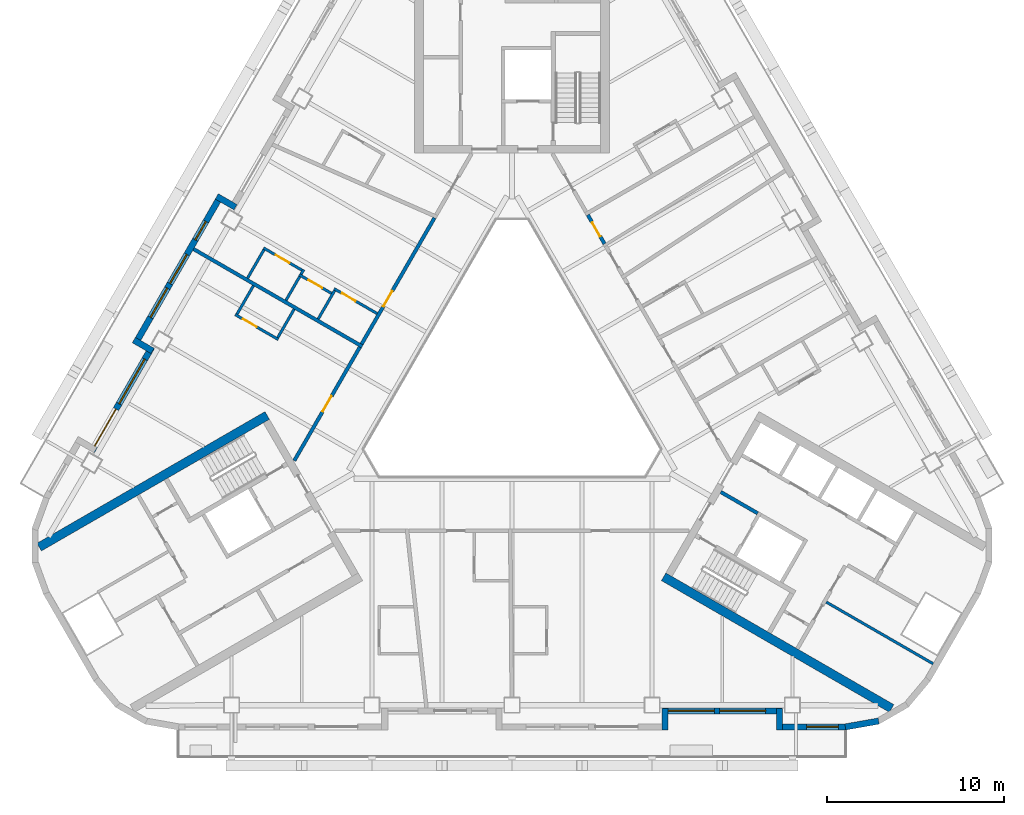
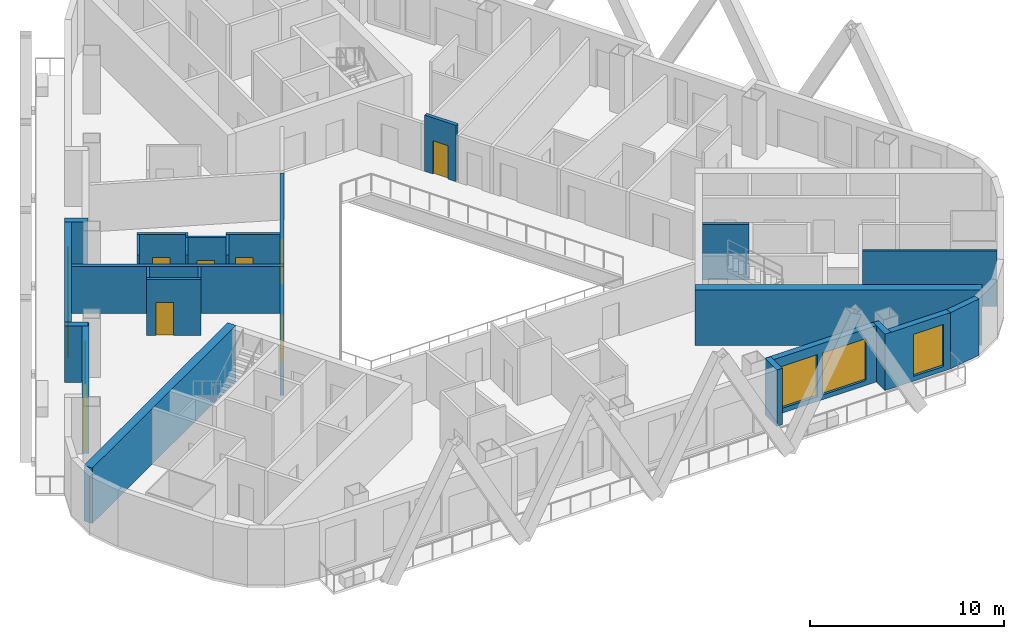
# One storey, part 4 of 14: 27 walls, 8 doors, 7 windows, 15 openings.
"""IFC4 building model written with IfcOpenShell, lengths in metres."""

from ifc_helpers import new_model, si_unit, direction, frame, frame_2d, origin, place, context, subcontext, project, spatial, rectangle, extrude, material, layer, layer_set, type_object, element, fill, save


model = new_model("IFC4")

# Units and contexts
model_context = context("Model", 3, precision=1e-05, world=origin(), true_north=direction((0.0, 1.0)))
body_context = subcontext(model_context, "Body", "Model", "MODEL_VIEW")
ifc_project = project(units=[si_unit("LENGTHUNIT", "METRE"), si_unit("AREAUNIT", "SQUARE_METRE"), si_unit("VOLUMEUNIT", "CUBIC_METRE"), si_unit("PLANEANGLEUNIT", "RADIAN"), si_unit("MASSUNIT", "GRAM", prefix="KILO")], contexts=[model_context])

# Site, building, storey
site_placement = place(None, origin())
site = spatial("IfcSite", under=ifc_project, at=site_placement, CompositionType="ELEMENT")
building_placement = place(site_placement, origin())
building = spatial("IfcBuilding", under=site, at=building_placement, Name="Apuvela Tower Hotel", CompositionType="ELEMENT")
storey_placement = place(building_placement, frame((0.0, 0.0, 120.5)))
storey = spatial("IfcBuildingStorey", under=building, at=storey_placement, Name="L28", CompositionType="ELEMENT", Elevation=120.5)

# Walls
ifc_material_1 = material(Name="Concrete C50/60", Category="concrete")
ifc_layer_1 = layer(ifc_material_1, 0.5)
ifc_layer_set_1 = layer_set([ifc_layer_1], Name="COR-WALL-CORE-500")
wall_type_1 = type_object("IfcWallType", Name="COR-WALL-CORE-500", PredefinedType="SHEAR", material=ifc_layer_set_1)
for number, where, z_axis, x_axis, name in (
    (1, (-13.796630859375, -1.9033203125, 0.0), (0.0, 0.0, 1.0), (-0.866025009528, -0.500000682871, 0.0), "Core wall SW"),
    (2, (8.546630859375, -10.99658203125, 0.0), (0.0, 0.0, 1.0), (0.866025009528, -0.500000682871, 0.0), "Core wall SE"),
):
    element("IfcWall", number, at=place(storey_placement, frame(where, z_axis=z_axis, x_axis=x_axis)), inside=storey, type_object=wall_type_1, Name=name, PredefinedType="SHEAR", context=body_context, shape_type="SweptSolid", body=[
        extrude(rectangle(XDim=14.8369140625, YDim=0.5, at=frame_2d((7.41845703125, 0.0))), origin(), (0.0, 0.0, 1.0), 3.5),
    ])
ifc_material_2 = material(Name="Blockwork 150 mm plastered", Category="masonry")
ifc_layer_2 = layer(ifc_material_2, 0.14990234375)
ifc_layer_set_2 = layer_set([ifc_layer_2], Name="COR-WALL-PART-150")
wall_type_2 = type_object("IfcWallType", Name="COR-WALL-PART-150", PredefinedType="PARTITIONING", material=ifc_layer_set_2)
wall_1_placement = place(storey_placement, frame((17.712890625, -12.42041015625, 0.0), z_axis=(0.0, 0.0, 1.0), x_axis=(0.866016523273, -0.500015381182, 0.0)))
element("IfcWall", 3, at=wall_1_placement, inside=storey, type_object=wall_type_2, Name="Partition SE", PredefinedType="PARTITIONING", context=body_context, shape_type="SweptSolid", body=[
    extrude(rectangle(XDim=6.949951171875, YDim=0.14990234375, at=frame_2d((3.47509765625, 0.0))), origin(), (0.0, 0.0, 1.0), 3.5),
])
ifc_layer_3 = layer(ifc_material_1, 0.199951171875)
ifc_layer_set_3 = layer_set([ifc_layer_3], Name="COR-WALL-SHAFT-200")
wall_type_3 = type_object("IfcWallType", Name="COR-WALL-SHAFT-200", PredefinedType="SHEAR", material=ifc_layer_set_3)
wall_2_placement = place(storey_placement, frame((11.76806640625, -6.217041015625, 0.0), z_axis=(0.0, 0.0, 1.0), x_axis=(0.866050077142, -0.499957262057, 0.0)))
element("IfcWall", 4, at=wall_2_placement, inside=storey, type_object=wall_type_3, Name="Shaft wall SE", PredefinedType="SHEAR", context=body_context, shape_type="SweptSolid", body=[
    extrude(rectangle(XDim=2.400146484375, YDim=0.199951171875, at=frame_2d((1.2001953125, 0.0))), origin(), (0.0, 0.0, 1.0), 3.5),
])
ifc_material_3 = material(Name="Concrete C40/50, dark pigmented precast panel", Category="concrete")
ifc_layer_4 = layer(ifc_material_3, 0.35009765625)
ifc_layer_set_4 = layer_set([ifc_layer_4], Name="ENV-WALL-350")
wall_type_4 = type_object("IfcWallType", Name="ENV-WALL-350", PredefinedType="SOLIDWALL", material=ifc_layer_set_4)
wall_3_placement = place(storey_placement, frame((-15.580810546875, 9.8330078125, 0.0), z_axis=(0.0, 0.0, 1.0), x_axis=(-0.866055662726, 0.499947586314, 0.0)))
element("IfcWall", 5, at=wall_3_placement, inside=storey, type_object=wall_type_4, Name="External wall L28-04", PredefinedType="SOLIDWALL", context=body_context, shape_type="SweptSolid", body=[
    extrude(rectangle(XDim=1.220458984375, YDim=0.35009765625, at=frame_2d((0.6103515625, 0.0))), origin(), (0.0, 0.0, 1.0), 3.550048828125),
])

# Wall, openings, windows
wall_4_placement = place(storey_placement, frame((-16.3984375, 10.507080078125, 0.0), z_axis=(0.0, 0.0, 1.0), x_axis=(-0.499999142773, -0.866025898704, 0.0)))
wall_4 = element("IfcWall", 6, at=wall_4_placement, inside=storey, type_object=wall_type_4, Name="External wall L28-05", PredefinedType="SOLIDWALL", context=body_context, shape_type="SweptSolid", body=[
    extrude(rectangle(XDim=9.7001953125, YDim=0.35009765625, at=frame_2d((4.85009765625, 0.0))), origin(), (0.0, 0.0, 1.0), 3.550048828125),
])
opening_1_placement = place(wall_4_placement, frame((1.7001953125, 0.0, 0.300048828125)))
opening_1 = element("IfcOpeningElement", 7, at=opening_1_placement, cuts=wall_4, Name="Opening WN12", PredefinedType="OPENING", context=body_context, shape_type="SweptSolid", body=[
    extrude(rectangle(XDim=1.199951171875, YDim=2.64990234375, at=frame_2d((0.60009765625, 1.324951171875))), frame((0.0, 0.18505859375, 0.0), z_axis=(0.0, -1.0, 0.0), x_axis=(1.0, 0.0, 0.0)), (0.0, 0.0, 1.0), 0.3701171875),
])
opening_2_placement = place(wall_4_placement, frame((3.849853515625, 0.0, 0.300048828125)))
opening_2 = element("IfcOpeningElement", 8, at=opening_2_placement, cuts=wall_4, Name="Opening WN19", PredefinedType="OPENING", context=body_context, shape_type="SweptSolid", body=[
    extrude(rectangle(XDim=1.89990234375, YDim=2.64990234375, at=frame_2d((0.949951171875, 1.324951171875))), frame((0.0, 0.18505859375, 0.0), z_axis=(0.0, -1.0, 0.0), x_axis=(1.0, 0.0, 0.0)), (0.0, 0.0, 1.0), 0.3701171875),
])
opening_3_placement = place(wall_4_placement, frame((6.0498046875, 0.0, 0.300048828125)))
opening_3 = element("IfcOpeningElement", 9, at=opening_3_placement, cuts=wall_4, Name="Opening WN19", PredefinedType="OPENING", context=body_context, shape_type="SweptSolid", body=[
    extrude(rectangle(XDim=1.89990234375, YDim=2.64990234375, at=frame_2d((0.949951171875, 1.324951171875))), frame((0.0, 0.18505859375, 0.0), z_axis=(0.0, -1.0, 0.0), x_axis=(1.0, 0.0, 0.0)), (0.0, 0.0, 1.0), 0.3701171875),
])
ifc_material_4 = material(Name="Glass, dark tinted laminated insulated glazing unit", Category="glass")
window_type_1 = type_object("IfcWindowType", Name="ENV-WIN-1200x2650", PartitioningType="SINGLE_PANEL", PredefinedType="WINDOW", material=ifc_material_4)
window_1_placement = place(opening_1_placement, origin())
window_1 = element("IfcWindow", 10, at=window_1_placement, inside=storey, type_object=window_type_1, Name="Window WN12", OverallHeight=2.64990234375, OverallWidth=1.199951171875, PartitioningType="SINGLE_PANEL", PredefinedType="WINDOW", context=body_context, shape_type="SweptSolid", body=[
    extrude(rectangle(XDim=1.199951171875, YDim=2.64990234375, at=frame_2d((0.60009765625, 1.324951171875))), frame((0.0, 0.030029296875, 0.0), z_axis=(0.0, -1.0, 0.0), x_axis=(1.0, 0.0, 0.0)), (0.0, 0.0, 1.0), 0.06005859375),
])
fill(opening_1, window_1)
window_type_2 = type_object("IfcWindowType", Name="ENV-WIN-1900x2650", PartitioningType="SINGLE_PANEL", PredefinedType="WINDOW", material=ifc_material_4)
window_2_placement = place(opening_2_placement, origin())
window_2 = element("IfcWindow", 11, at=window_2_placement, inside=storey, type_object=window_type_2, Name="Window WN19", OverallHeight=2.64990234375, OverallWidth=1.89990234375, PartitioningType="SINGLE_PANEL", PredefinedType="WINDOW", context=body_context, shape_type="SweptSolid", body=[
    extrude(rectangle(XDim=1.89990234375, YDim=2.64990234375, at=frame_2d((0.949951171875, 1.324951171875))), frame((0.0, 0.030029296875, 0.0), z_axis=(0.0, -1.0, 0.0), x_axis=(1.0, 0.0, 0.0)), (0.0, 0.0, 1.0), 0.06005859375),
])
fill(opening_2, window_2)
window_3_placement = place(opening_3_placement, origin())
window_3 = element("IfcWindow", 12, at=window_3_placement, inside=storey, type_object=window_type_2, Name="Window WN19", OverallHeight=2.64990234375, OverallWidth=1.89990234375, PartitioningType="SINGLE_PANEL", PredefinedType="WINDOW", context=body_context, shape_type="SweptSolid", body=[
    extrude(rectangle(XDim=1.89990234375, YDim=2.64990234375, at=frame_2d((0.949951171875, 1.324951171875))), frame((0.0, 0.030029296875, 0.0), z_axis=(0.0, -1.0, 0.0), x_axis=(1.0, 0.0, 0.0)), (0.0, 0.0, 1.0), 0.06005859375),
])
fill(opening_3, window_3)

# Wall
wall_5_placement = place(storey_placement, frame((-21.3125, 2.345703125, 0.0), z_axis=(0.0, 0.0, 1.0), x_axis=(0.866005645448, -0.500034220881, 0.0)))
element("IfcWall", 13, at=wall_5_placement, inside=storey, type_object=wall_type_4, Name="External wall L28-06", PredefinedType="SOLIDWALL", context=body_context, shape_type="SweptSolid", body=[
    extrude(rectangle(XDim=1.22021484375, YDim=0.35009765625, at=frame_2d((0.610107421875, 0.0))), origin(), (0.0, 0.0, 1.0), 3.550048828125),
])

# Wall, openings, door, window
wall_6_placement = place(storey_placement, frame((-20.30908203125, 1.93359375, 0.0), z_axis=(0.0, 0.0, 1.0), x_axis=(-0.499992114976, -0.866029956157, 0.0)))
wall_6 = element("IfcWall", 14, at=wall_6_placement, inside=storey, type_object=wall_type_4, Name="External wall L28-07", PredefinedType="SOLIDWALL", context=body_context, shape_type="SweptSolid", body=[
    extrude(rectangle(XDim=6.73974609375, YDim=0.35009765625, at=frame_2d((3.369873046875, 0.0))), origin(), (0.0, 0.0, 1.0), 3.550048828125),
])
opening_4_placement = place(wall_6_placement, frame((4.02001953125, 0.0, 0.0)))
opening_4 = element("IfcOpeningElement", 15, at=opening_4_placement, cuts=wall_6, Name="Opening BD24", PredefinedType="OPENING", context=body_context, shape_type="SweptSolid", body=[
    extrude(rectangle(XDim=2.39990234375, YDim=2.39990234375, at=frame_2d((1.199951171875, 1.199951171875))), frame((0.0, 0.18505859375, 0.0), z_axis=(0.0, -1.0, 0.0), x_axis=(1.0, 0.0, 0.0)), (0.0, 0.0, 1.0), 0.3701171875),
])
opening_5_placement = place(wall_6_placement, frame((0.77001953125, 0.0, 0.300048828125)))
opening_5 = element("IfcOpeningElement", 16, at=opening_5_placement, cuts=wall_6, Name="Opening WN29", PredefinedType="OPENING", context=body_context, shape_type="SweptSolid", body=[
    extrude(rectangle(XDim=2.89990234375, YDim=2.64990234375, at=frame_2d((1.449951171875, 1.324951171875))), frame((0.0, 0.18505859375, 0.0), z_axis=(0.0, -1.0, 0.0), x_axis=(1.0, 0.0, 0.0)), (0.0, 0.0, 1.0), 0.3701171875),
])
ifc_material_5 = material(Name="Aluminium 6063-T6, dark bronze anodised frame with dark tinted laminated glass", Category="aluminium")
door_type_1 = type_object("IfcDoorType", Name="ENV-DOOR-BALCONY-2400x2400", OperationType="SLIDING_TO_LEFT", PredefinedType="DOOR", material=ifc_material_5)
door_1_placement = place(opening_4_placement, frame((2.39990234375, 0.0, 0.0), z_axis=(0.0, 0.0, 1.0), x_axis=(-1.0, 0.0, 0.0)))
door_1 = element("IfcDoor", 17, at=door_1_placement, inside=storey, type_object=door_type_1, Name="Balcony door BD24", OperationType="SLIDING_TO_LEFT", OverallHeight=2.39990234375, OverallWidth=2.39990234375, PredefinedType="DOOR", context=body_context, shape_type="SweptSolid", body=[
    extrude(rectangle(XDim=2.39990234375, YDim=2.39990234375, at=frame_2d((1.199951171875, 1.199951171875))), frame((0.0, 0.02490234375, 0.0), z_axis=(0.0, -1.0, 0.0), x_axis=(1.0, 0.0, 0.0)), (0.0, 0.0, 1.0), 0.050048828125),
])
fill(opening_4, door_1)
window_type_3 = type_object("IfcWindowType", Name="ENV-WIN-2900x2650", PartitioningType="SINGLE_PANEL", PredefinedType="WINDOW", material=ifc_material_4)
window_4_placement = place(opening_5_placement, origin())
window_4 = element("IfcWindow", 18, at=window_4_placement, inside=storey, type_object=window_type_3, Name="Window WN29", OverallHeight=2.64990234375, OverallWidth=2.89990234375, PartitioningType="SINGLE_PANEL", PredefinedType="WINDOW", context=body_context, shape_type="SweptSolid", body=[
    extrude(rectangle(XDim=2.89990234375, YDim=2.64990234375, at=frame_2d((1.449951171875, 1.324951171875))), frame((0.0, 0.030029296875, 0.0), z_axis=(0.0, -1.0, 0.0), x_axis=(1.0, 0.0, 0.0)), (0.0, 0.0, 1.0), 0.06005859375),
])
fill(opening_5, window_4)

# Wall
wall_7_placement = place(storey_placement, frame((8.625, -19.6298828125, 0.0), z_axis=(0.0, 0.0, 1.0), x_axis=(0.0, 1.0, 0.0)))
element("IfcWall", 19, at=wall_7_placement, inside=storey, type_object=wall_type_4, Name="External wall L28-22", PredefinedType="SOLIDWALL", context=body_context, shape_type="SweptSolid", body=[
    extrude(rectangle(XDim=1.219970703125, YDim=0.35009765625, at=frame_2d((0.60986328125, 0.0))), origin(), (0.0, 0.0, 1.0), 3.550048828125),
])

# Wall, openings, windows
wall_8_placement = place(storey_placement, frame((8.47998046875, -18.554931640625, 0.0), z_axis=(0.0, 0.0, 1.0), x_axis=(1.0, 0.0, 0.0)))
wall_8 = element("IfcWall", 20, at=wall_8_placement, inside=storey, type_object=wall_type_4, Name="External wall L28-23", PredefinedType="SOLIDWALL", context=body_context, shape_type="SweptSolid", body=[
    extrude(rectangle(XDim=6.739990234375, YDim=0.35009765625, at=frame_2d((3.3701171875, 0.0))), origin(), (0.0, 0.0, 1.0), 3.550048828125),
])
opening_6_placement = place(wall_8_placement, frame((0.3203125, 0.0, 0.300048828125)))
opening_6 = element("IfcOpeningElement", 21, at=opening_6_placement, cuts=wall_8, Name="Opening WN26", PredefinedType="OPENING", context=body_context, shape_type="SweptSolid", body=[
    extrude(rectangle(XDim=2.60009765625, YDim=2.64990234375, at=frame_2d((1.300048828125, 1.324951171875))), frame((0.0, 0.18505859375, 0.0), z_axis=(0.0, -1.0, 0.0), x_axis=(1.0, 0.0, 0.0)), (0.0, 0.0, 1.0), 0.3701171875),
])
opening_7_placement = place(wall_8_placement, frame((3.22021484375, 0.0, 0.300048828125)))
opening_7 = element("IfcOpeningElement", 22, at=opening_7_placement, cuts=wall_8, Name="Opening WN26", PredefinedType="OPENING", context=body_context, shape_type="SweptSolid", body=[
    extrude(rectangle(XDim=2.60009765625, YDim=2.64990234375, at=frame_2d((1.300048828125, 1.324951171875))), frame((0.0, 0.18505859375, 0.0), z_axis=(0.0, -1.0, 0.0), x_axis=(1.0, 0.0, 0.0)), (0.0, 0.0, 1.0), 0.3701171875),
])
window_type_4 = type_object("IfcWindowType", Name="ENV-WIN-2600x2650", PartitioningType="SINGLE_PANEL", PredefinedType="WINDOW", material=ifc_material_4)
window_5_placement = place(opening_6_placement, origin())
window_5 = element("IfcWindow", 23, at=window_5_placement, inside=storey, type_object=window_type_4, Name="Window WN26", OverallHeight=2.64990234375, OverallWidth=2.60009765625, PartitioningType="SINGLE_PANEL", PredefinedType="WINDOW", context=body_context, shape_type="SweptSolid", body=[
    extrude(rectangle(XDim=2.60009765625, YDim=2.64990234375, at=frame_2d((1.300048828125, 1.324951171875))), frame((0.0, 0.030029296875, 0.0), z_axis=(0.0, -1.0, 0.0), x_axis=(1.0, 0.0, 0.0)), (0.0, 0.0, 1.0), 0.06005859375),
])
fill(opening_6, window_5)
window_6_placement = place(opening_7_placement, origin())
window_6 = element("IfcWindow", 24, at=window_6_placement, inside=storey, type_object=window_type_4, Name="Window WN26", OverallHeight=2.64990234375, OverallWidth=2.60009765625, PartitioningType="SINGLE_PANEL", PredefinedType="WINDOW", context=body_context, shape_type="SweptSolid", body=[
    extrude(rectangle(XDim=2.60009765625, YDim=2.64990234375, at=frame_2d((1.300048828125, 1.324951171875))), frame((0.0, 0.030029296875, 0.0), z_axis=(0.0, -1.0, 0.0), x_axis=(1.0, 0.0, 0.0)), (0.0, 0.0, 1.0), 0.06005859375),
])
fill(opening_7, window_6)

# Wall
wall_9_placement = place(storey_placement, frame((15.074951171875, -18.409912109375, 0.0), z_axis=(0.0, 0.0, 1.0), x_axis=(0.0, -1.0, 0.0)))
element("IfcWall", 25, at=wall_9_placement, inside=storey, type_object=wall_type_4, Name="External wall L28-24", PredefinedType="SOLIDWALL", context=body_context, shape_type="SweptSolid", body=[
    extrude(rectangle(XDim=1.219970703125, YDim=0.35009765625, at=frame_2d((0.60986328125, 0.0))), origin(), (0.0, 0.0, 1.0), 3.550048828125),
])

# Wall, opening, window
wall_10_placement = place(storey_placement, frame((14.89990234375, -19.455078125, 0.0), z_axis=(0.0, 0.0, 1.0), x_axis=(1.0, 0.0, 0.0)))
wall_10 = element("IfcWall", 26, at=wall_10_placement, inside=storey, type_object=wall_type_4, Name="External wall L28-25", PredefinedType="SOLIDWALL", context=body_context, shape_type="SweptSolid", body=[
    extrude(rectangle(XDim=3.916015625, YDim=0.35009765625, at=frame_2d((1.9580078125, 0.0))), origin(), (0.0, 0.0, 1.0), 3.550048828125),
])
opening_8_placement = place(wall_10_placement, frame((1.699951171875, 0.0, 0.300048828125)))
opening_8 = element("IfcOpeningElement", 27, at=opening_8_placement, cuts=wall_10, Name="Opening WN18", PredefinedType="OPENING", context=body_context, shape_type="SweptSolid", body=[
    extrude(rectangle(XDim=1.800048828125, YDim=2.64990234375, at=frame_2d((0.89990234375, 1.324951171875))), frame((0.0, 0.18505859375, 0.0), z_axis=(0.0, -1.0, 0.0), x_axis=(1.0, 0.0, 0.0)), (0.0, 0.0, 1.0), 0.3701171875),
])
window_type_5 = type_object("IfcWindowType", Name="ENV-WIN-1800x2650", PartitioningType="SINGLE_PANEL", PredefinedType="WINDOW", material=ifc_material_4)
window_7_placement = place(opening_8_placement, origin())
window_7 = element("IfcWindow", 28, at=window_7_placement, inside=storey, type_object=window_type_5, Name="Window WN18", OverallHeight=2.64990234375, OverallWidth=1.800048828125, PartitioningType="SINGLE_PANEL", PredefinedType="WINDOW", context=body_context, shape_type="SweptSolid", body=[
    extrude(rectangle(XDim=1.800048828125, YDim=2.64990234375, at=frame_2d((0.89990234375, 1.324951171875))), frame((0.0, 0.030029296875, 0.0), z_axis=(0.0, -1.0, 0.0), x_axis=(1.0, 0.0, 0.0)), (0.0, 0.0, 1.0), 0.06005859375),
])
fill(opening_8, window_7)

# Walls
wall_11_placement = place(storey_placement, frame((18.785400390625, -19.457763671875, 0.0), z_axis=(0.0, 0.0, 1.0), x_axis=(0.984798995425, 0.173697837091, 0.0)))
element("IfcWall", 29, at=wall_11_placement, inside=storey, type_object=wall_type_4, Name="External wall L28-26", PredefinedType="SOLIDWALL", context=body_context, shape_type="SweptSolid", body=[
    extrude(rectangle(XDim=1.91015625, YDim=0.35009765625, at=frame_2d((0.955078125, 0.0))), origin(), (0.0, 0.0, 1.0), 3.550048828125),
])
ifc_material_6 = material(Name="Gypsum board partition on twin steel stud", Category="steel")
ifc_layer_5 = layer(ifc_material_6, 0.199951171875)
ifc_layer_set_5 = layer_set([ifc_layer_5], Name="GST-PW1")
wall_type_5 = type_object("IfcWallType", Name="GST-PW1", PredefinedType="PARTITIONING", material=ifc_layer_set_5)
wall_12_placement = place(storey_placement, frame((-17.947021484375, 7.474853515625, 0.0), z_axis=(0.0, 0.0, 1.0), x_axis=(0.866027479907, -0.499996404033, 0.0)))
element("IfcWall", 30, at=wall_12_placement, inside=storey, type_object=wall_type_5, Name="L28 partition 08", PredefinedType="PARTITIONING", context=body_context, shape_type="SweptSolid", body=[
    extrude(rectangle(XDim=10.97998046875, YDim=0.199951171875, at=frame_2d((5.489990234375, 0.0))), origin(), (0.0, 0.0, 1.0), 2.9599609375),
])

# Wall, opening, door
ifc_material_7 = material(Name="Gypsum board corridor wall on twin steel stud, acoustic", Category="steel")
ifc_layer_6 = layer(ifc_material_7, 0.199951171875)
ifc_layer_set_6 = layer_set([ifc_layer_6], Name="GST-PW2")
wall_type_6 = type_object("IfcWallType", Name="GST-PW2", PredefinedType="PARTITIONING", material=ifc_layer_set_6)
wall_13_placement = place(storey_placement, frame((4.274658203125, 9.396240234375, 0.0), z_axis=(0.0, 0.0, 1.0), x_axis=(0.499928798138, -0.866066508296, 0.0)))
wall_13 = element("IfcWall", 31, at=wall_13_placement, inside=storey, type_object=wall_type_6, Name="L28 partition 32", PredefinedType="PARTITIONING", context=body_context, shape_type="SweptSolid", body=[
    extrude(rectangle(XDim=1.877685546875, YDim=0.199951171875, at=frame_2d((0.93896484375, 0.0))), origin(), (0.0, 0.0, 1.0), 3.550048828125),
])
opening_9_placement = place(wall_13_placement, frame((0.489013671875, 0.0, 0.0)))
opening_9 = element("IfcOpeningElement", 32, at=opening_9_placement, cuts=wall_13, Name="Opening GD10-14", PredefinedType="OPENING", context=body_context, shape_type="SweptSolid", body=[
    extrude(rectangle(XDim=0.89990234375, YDim=2.10009765625, at=frame_2d((0.449951171875, 1.050048828125))), frame((0.0, 0.10986328125, 0.0), z_axis=(0.0, -1.0, 0.0), x_axis=(1.0, 0.0, 0.0)), (0.0, 0.0, 1.0), 0.219970703125),
])
ifc_material_8 = material(Name="Timber door leaf in steel frame", Category="steel")
door_type_2 = type_object("IfcDoorType", Name="GST-D2", OperationType="NOTDEFINED", PredefinedType="DOOR", material=ifc_material_8)
door_2_placement = place(opening_9_placement, origin())
door_2 = element("IfcDoor", 33, at=door_2_placement, inside=storey, type_object=door_type_2, Name="Door L28-14", OperationType="SINGLE_SWING_RIGHT", OverallHeight=2.10009765625, OverallWidth=0.89990234375, PredefinedType="DOOR", context=body_context, shape_type="SweptSolid", body=[
    extrude(rectangle(XDim=0.89990234375, YDim=2.10009765625, at=frame_2d((0.449951171875, 1.050048828125))), frame((0.0, 0.02490234375, 0.0), z_axis=(0.0, -1.0, 0.0), x_axis=(1.0, 0.0, 0.0)), (0.0, 0.0, 1.0), 0.050048828125),
])
fill(opening_9, door_2)

wall_14_placement = place(storey_placement, frame((-8.474609375, 2.12158203125, 0.0), z_axis=(0.0, 0.0, 1.0), x_axis=(0.500005592383, 0.866022174996, 0.0)))
wall_14 = element("IfcWall", 34, at=wall_14_placement, inside=storey, type_object=wall_type_6, Name="L28 partition 41", PredefinedType="PARTITIONING", context=body_context, shape_type="SweptSolid", body=[
    extrude(rectangle(XDim=8.21044921875, YDim=0.199951171875, at=frame_2d((4.105224609375, 0.0))), origin(), (0.0, 0.0, 1.0), 2.949951171875),
])
opening_10_placement = place(wall_14_placement, frame((2.449951171875, 0.0, 0.0)))
opening_10 = element("IfcOpeningElement", 35, at=opening_10_placement, cuts=wall_14, Name="Opening GD10-22", PredefinedType="OPENING", context=body_context, shape_type="SweptSolid", body=[
    extrude(rectangle(XDim=1.0, YDim=2.10009765625, at=frame_2d((0.5, 1.050048828125))), frame((0.0, 0.10986328125, 0.0), z_axis=(0.0, -1.0, 0.0), x_axis=(1.0, 0.0, 0.0)), (0.0, 0.0, 1.0), 0.219970703125),
])
door_type_3 = type_object("IfcDoorType", Name="GST-D1", OperationType="NOTDEFINED", PredefinedType="DOOR", material=ifc_material_8)
door_3_placement = place(opening_10_placement, origin())
door_3 = element("IfcDoor", 36, at=door_3_placement, inside=storey, type_object=door_type_3, Name="Door L28-22", OperationType="SINGLE_SWING_RIGHT", OverallHeight=2.10009765625, OverallWidth=1.0, PredefinedType="DOOR", context=body_context, shape_type="SweptSolid", body=[
    extrude(rectangle(XDim=1.0, YDim=2.10009765625, at=frame_2d((0.5, 1.050048828125))), frame((0.0, 0.02490234375, 0.0), z_axis=(0.0, -1.0, 0.0), x_axis=(1.0, 0.0, 0.0)), (0.0, 0.0, 1.0), 0.050048828125),
])
fill(opening_10, door_3)

wall_15_placement = place(storey_placement, frame((-12.268798828125, -4.449951171875, 0.0), z_axis=(0.0, 0.0, 1.0), x_axis=(0.500009454961, 0.866019944892, 0.0)))
wall_15 = element("IfcWall", 37, at=wall_15_placement, inside=storey, type_object=wall_type_6, Name="L28 partition 49", PredefinedType="PARTITIONING", context=body_context, shape_type="SweptSolid", body=[
    extrude(rectangle(XDim=7.387939453125, YDim=0.199951171875, at=frame_2d((3.69384765625, 0.0))), origin(), (0.0, 0.0, 1.0), 2.949951171875),
])
opening_11_placement = place(wall_15_placement, frame((3.194091796875, 0.0, 0.0)))
opening_11 = element("IfcOpeningElement", 38, at=opening_11_placement, cuts=wall_15, Name="Opening GD10-24", PredefinedType="OPENING", context=body_context, shape_type="SweptSolid", body=[
    extrude(rectangle(XDim=1.0, YDim=2.10009765625, at=frame_2d((0.5, 1.050048828125))), frame((0.0, 0.10986328125, 0.0), z_axis=(0.0, -1.0, 0.0), x_axis=(1.0, 0.0, 0.0)), (0.0, 0.0, 1.0), 0.219970703125),
])
door_4_placement = place(opening_11_placement, origin())
door_4 = element("IfcDoor", 39, at=door_4_placement, inside=storey, type_object=door_type_3, Name="Door L28-24", OperationType="SINGLE_SWING_RIGHT", OverallHeight=2.10009765625, OverallWidth=1.0, PredefinedType="DOOR", context=body_context, shape_type="SweptSolid", body=[
    extrude(rectangle(XDim=1.0, YDim=2.10009765625, at=frame_2d((0.5, 1.050048828125))), frame((0.0, 0.02490234375, 0.0), z_axis=(0.0, -1.0, 0.0), x_axis=(1.0, 0.0, 0.0)), (0.0, 0.0, 1.0), 0.050048828125),
])
fill(opening_11, door_4)

ifc_material_9 = material(Name="Moisture-resistant gypsum board wet wall on steel stud", Category="steel")
ifc_layer_7 = layer(ifc_material_9, 0.14990234375)
ifc_layer_set_7 = layer_set([ifc_layer_7], Name="GST-PW3")
wall_type_7 = type_object("IfcWallType", Name="GST-PW3", PredefinedType="PARTITIONING", material=ifc_layer_set_7)
wall_16_placement = place(storey_placement, frame((-7.5986328125, 3.838623046875, 0.0), z_axis=(0.0, 0.0, 1.0), x_axis=(-0.866056369097, 0.49994636267, 0.0)))
wall_16 = element("IfcWall", 40, at=wall_16_placement, inside=storey, type_object=wall_type_7, Name="L28 partition 42", PredefinedType="PARTITIONING", context=body_context, shape_type="SweptSolid", body=[
    extrude(rectangle(XDim=2.800048828125, YDim=0.14990234375, at=frame_2d((1.39990234375, 0.0))), origin(), (0.0, 0.0, 1.0), 3.550048828125),
])
opening_12_placement = place(wall_16_placement, frame((1.39990234375, 0.0, 0.0)))
opening_12 = element("IfcOpeningElement", 41, at=opening_12_placement, cuts=wall_16, Name="Opening GD10-19", PredefinedType="OPENING", context=body_context, shape_type="SweptSolid", body=[
    extrude(rectangle(XDim=0.89990234375, YDim=2.10009765625, at=frame_2d((0.449951171875, 1.050048828125))), frame((0.0, 0.0849609375, 0.0), z_axis=(0.0, -1.0, 0.0), x_axis=(1.0, 0.0, 0.0)), (0.0, 0.0, 1.0), 0.169921875),
])
door_5_placement = place(opening_12_placement, origin())
door_5 = element("IfcDoor", 42, at=door_5_placement, inside=storey, type_object=door_type_2, Name="Door L28-19", OperationType="SINGLE_SWING_RIGHT", OverallHeight=2.10009765625, OverallWidth=0.89990234375, PredefinedType="DOOR", context=body_context, shape_type="SweptSolid", body=[
    extrude(rectangle(XDim=0.89990234375, YDim=2.10009765625, at=frame_2d((0.449951171875, 1.050048828125))), frame((0.0, 0.02490234375, 0.0), z_axis=(0.0, -1.0, 0.0), x_axis=(1.0, 0.0, 0.0)), (0.0, 0.0, 1.0), 0.050048828125),
])
fill(opening_12, door_5)

# Wall
wall_17_placement = place(storey_placement, frame((-9.99609375, 5.13623046875, 0.0), z_axis=(0.0, 0.0, 1.0), x_axis=(-0.499985172903, -0.866033964044, 0.0)))
element("IfcWall", 43, at=wall_17_placement, inside=storey, type_object=wall_type_7, Name="L28 partition 43", PredefinedType="PARTITIONING", context=body_context, shape_type="SweptSolid", body=[
    extrude(rectangle(XDim=1.85009765625, YDim=0.14990234375, at=frame_2d((0.925048828125, 0.0))), origin(), (0.0, 0.0, 1.0), 3.550048828125),
])

# Wall, opening, door
wall_18_placement = place(storey_placement, frame((-10.173583984375, 4.978759765625, 0.0), z_axis=(0.0, 0.0, 1.0), x_axis=(-0.866009402589, 0.500027713859, 0.0)))
wall_18 = element("IfcWall", 44, at=wall_18_placement, inside=storey, type_object=wall_type_7, Name="L28 partition 44", PredefinedType="PARTITIONING", context=body_context, shape_type="SweptSolid", body=[
    extrude(rectangle(XDim=2.10009765625, YDim=0.14990234375, at=frame_2d((1.050048828125, 0.0))), origin(), (0.0, 0.0, 1.0), 3.550048828125),
])
opening_13_placement = place(wall_18_placement, frame((0.60009765625, 0.0, 0.0)))
opening_13 = element("IfcOpeningElement", 45, at=opening_13_placement, cuts=wall_18, Name="Opening GD10-20", PredefinedType="OPENING", context=body_context, shape_type="SweptSolid", body=[
    extrude(rectangle(XDim=0.89990234375, YDim=2.10009765625, at=frame_2d((0.449951171875, 1.050048828125))), frame((0.0, 0.0849609375, 0.0), z_axis=(0.0, -1.0, 0.0), x_axis=(1.0, 0.0, 0.0)), (0.0, 0.0, 1.0), 0.169921875),
])
door_6_placement = place(opening_13_placement, origin())
door_6 = element("IfcDoor", 46, at=door_6_placement, inside=storey, type_object=door_type_2, Name="Door L28-20", OperationType="SINGLE_SWING_RIGHT", OverallHeight=2.10009765625, OverallWidth=0.89990234375, PredefinedType="DOOR", context=body_context, shape_type="SweptSolid", body=[
    extrude(rectangle(XDim=0.89990234375, YDim=2.10009765625, at=frame_2d((0.449951171875, 1.050048828125))), frame((0.0, 0.02490234375, 0.0), z_axis=(0.0, -1.0, 0.0), x_axis=(1.0, 0.0, 0.0)), (0.0, 0.0, 1.0), 0.050048828125),
])
fill(opening_13, door_6)

# Wall
wall_19_placement = place(storey_placement, frame((-11.96484375, 5.926513671875, 0.0), z_axis=(0.0, 0.0, 1.0), x_axis=(-0.499899694197, -0.866083307622, 0.0)))
element("IfcWall", 47, at=wall_19_placement, inside=storey, type_object=wall_type_7, Name="L28 partition 45", PredefinedType="PARTITIONING", context=body_context, shape_type="SweptSolid", body=[
    extrude(rectangle(XDim=1.550048828125, YDim=0.14990234375, at=frame_2d((0.77490234375, 0.0))), origin(), (0.0, 0.0, 1.0), 3.550048828125),
])

# Wall, opening, door
wall_20_placement = place(storey_placement, frame((-11.84228515625, 6.28857421875, 0.0), z_axis=(0.0, 0.0, 1.0), x_axis=(-0.866022959057, 0.500004234368, 0.0)))
wall_20 = element("IfcWall", 48, at=wall_20_placement, inside=storey, type_object=wall_type_7, Name="L28 partition 46", PredefinedType="PARTITIONING", context=body_context, shape_type="SweptSolid", body=[
    extrude(rectangle(XDim=2.5, YDim=0.14990234375, at=frame_2d((1.25, 0.0))), origin(), (0.0, 0.0, 1.0), 3.550048828125),
])
opening_14_placement = place(wall_20_placement, frame((0.800048828125, 0.0, 0.0)))
opening_14 = element("IfcOpeningElement", 49, at=opening_14_placement, cuts=wall_20, Name="Opening GD10-21", PredefinedType="OPENING", context=body_context, shape_type="SweptSolid", body=[
    extrude(rectangle(XDim=0.89990234375, YDim=2.10009765625, at=frame_2d((0.449951171875, 1.050048828125))), frame((0.0, 0.0849609375, 0.0), z_axis=(0.0, -1.0, 0.0), x_axis=(1.0, 0.0, 0.0)), (0.0, 0.0, 1.0), 0.169921875),
])
door_7_placement = place(opening_14_placement, origin())
door_7 = element("IfcDoor", 50, at=door_7_placement, inside=storey, type_object=door_type_2, Name="Door L28-21", OperationType="SINGLE_SWING_RIGHT", OverallHeight=2.10009765625, OverallWidth=0.89990234375, PredefinedType="DOOR", context=body_context, shape_type="SweptSolid", body=[
    extrude(rectangle(XDim=0.89990234375, YDim=2.10009765625, at=frame_2d((0.449951171875, 1.050048828125))), frame((0.0, 0.02490234375, 0.0), z_axis=(0.0, -1.0, 0.0), x_axis=(1.0, 0.0, 0.0)), (0.0, 0.0, 1.0), 0.050048828125),
])
fill(opening_14, door_7)

# Walls
wall_21_placement = place(storey_placement, frame((-13.97998046875, 7.436279296875, 0.0), z_axis=(0.0, 0.0, 1.0), x_axis=(-0.499886193382, -0.866091100096, 0.0)))
element("IfcWall", 51, at=wall_21_placement, inside=storey, type_object=wall_type_7, Name="L28 partition 47", PredefinedType="PARTITIONING", context=body_context, shape_type="SweptSolid", body=[
    extrude(rectangle(XDim=1.85009765625, YDim=0.14990234375, at=frame_2d((0.925048828125, 0.0))), origin(), (0.0, 0.0, 1.0), 3.550048828125),
])
wall_22_placement = place(storey_placement, frame((-11.73974609375, 6.316162109375, 0.0), z_axis=(0.0, 0.0, 1.0), x_axis=(-0.500426713919, -0.865778900179, 0.0)))
element("IfcWall", 52, at=wall_22_placement, inside=storey, type_object=wall_type_7, Name="L28 partition 48", PredefinedType="PARTITIONING", context=body_context, shape_type="SweptSolid", body=[
    extrude(rectangle(XDim=0.300048828125, YDim=0.14990234375, at=frame_2d((0.14990234375, 0.0))), origin(), (0.0, 0.0, 1.0), 3.550048828125),
])

# Wall, opening, door
wall_23_placement = place(storey_placement, frame((-15.599365234375, 3.78125, 0.0), z_axis=(0.0, 0.0, 1.0), x_axis=(0.866018616679, -0.500011755427, 0.0)))
wall_23 = element("IfcWall", 53, at=wall_23_placement, inside=storey, type_object=wall_type_7, Name="L28 partition 50", PredefinedType="PARTITIONING", context=body_context, shape_type="SweptSolid", body=[
    extrude(rectangle(XDim=2.80029296875, YDim=0.14990234375, at=frame_2d((1.400146484375, 0.0))), origin(), (0.0, 0.0, 1.0), 3.550048828125),
])
opening_15_placement = place(wall_23_placement, frame((0.5, 0.0, 0.0)))
opening_15 = element("IfcOpeningElement", 54, at=opening_15_placement, cuts=wall_23, Name="Opening GD10-23", PredefinedType="OPENING", context=body_context, shape_type="SweptSolid", body=[
    extrude(rectangle(XDim=0.89990234375, YDim=2.10009765625, at=frame_2d((0.449951171875, 1.050048828125))), frame((0.0, 0.0849609375, 0.0), z_axis=(0.0, -1.0, 0.0), x_axis=(1.0, 0.0, 0.0)), (0.0, 0.0, 1.0), 0.169921875),
])
door_8_placement = place(opening_15_placement, origin())
door_8 = element("IfcDoor", 55, at=door_8_placement, inside=storey, type_object=door_type_2, Name="Door L28-23", OperationType="SINGLE_SWING_LEFT", OverallHeight=2.10009765625, OverallWidth=0.89990234375, PredefinedType="DOOR", context=body_context, shape_type="SweptSolid", body=[
    extrude(rectangle(XDim=0.89990234375, YDim=2.10009765625, at=frame_2d((0.449951171875, 1.050048828125))), frame((0.0, 0.02490234375, 0.0), z_axis=(0.0, -1.0, 0.0), x_axis=(1.0, 0.0, 0.0)), (0.0, 0.0, 1.0), 0.050048828125),
])
fill(opening_15, door_8)

# Walls
wall_24_placement = place(storey_placement, frame((-14.57177734375, 5.410888671875, 0.0), z_axis=(0.0, 0.0, 1.0), x_axis=(-0.499985172903, -0.866033964044, 0.0)))
element("IfcWall", 56, at=wall_24_placement, inside=storey, type_object=wall_type_7, Name="L28 partition 51", PredefinedType="PARTITIONING", context=body_context, shape_type="SweptSolid", body=[
    extrude(rectangle(XDim=1.85009765625, YDim=0.14990234375, at=frame_2d((0.925048828125, 0.0))), origin(), (0.0, 0.0, 1.0), 2.949951171875),
])
wall_25_placement = place(storey_placement, frame((-12.27685546875, 4.085693359375, 0.0), z_axis=(0.0, 0.0, 1.0), x_axis=(-0.500042316284, -0.866000971088, 0.0)))
element("IfcWall", 57, at=wall_25_placement, inside=storey, type_object=wall_type_7, Name="L28 partition 52", PredefinedType="PARTITIONING", context=body_context, shape_type="SweptSolid", body=[
    extrude(rectangle(XDim=1.849853515625, YDim=0.14990234375, at=frame_2d((0.9248046875, 0.0))), origin(), (0.0, 0.0, 1.0), 2.949951171875),
])

save(model, "model.ifc")
